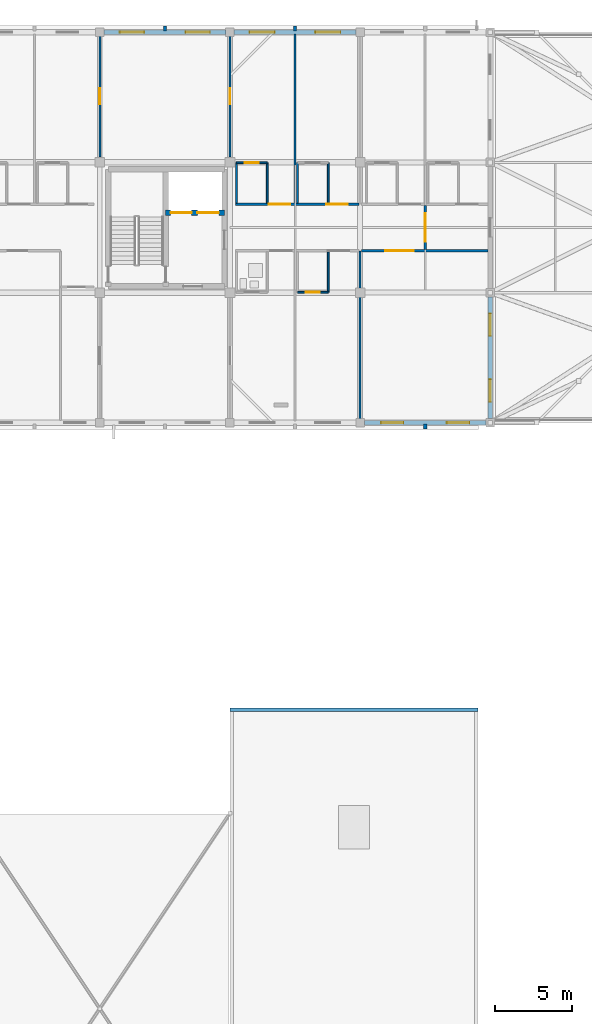
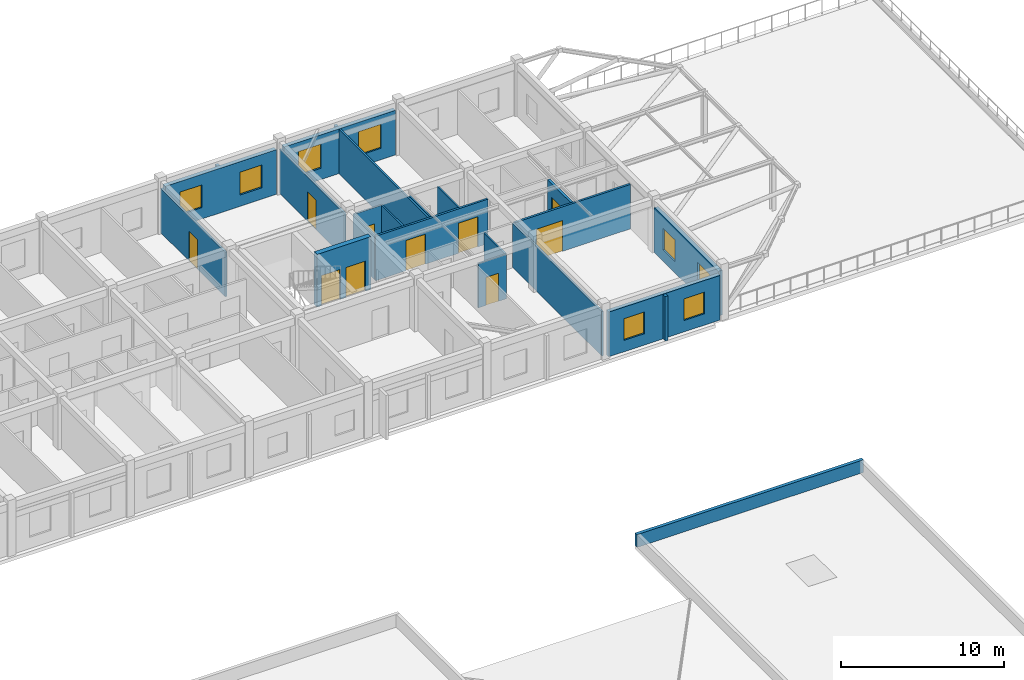
# One storey, part 11 of 21: 23 walls, 10 doors, 8 windows, 18 openings.
"""IFC4 building model written with IfcOpenShell, lengths in metres."""

from ifc_helpers import new_model, si_unit, direction, frame, frame_2d, origin, place, context, subcontext, project, spatial, rectangle, extrude, material, layer, layer_set, type_object, element, fill, save


model = new_model("IFC4")

# Units and contexts
model_context = context("Model", 3, precision=1e-05, world=origin(), true_north=direction((0.0, 1.0)))
body_context = subcontext(model_context, "Body", "Model", "MODEL_VIEW")
ifc_project = project(units=[si_unit("LENGTHUNIT", "METRE"), si_unit("AREAUNIT", "SQUARE_METRE"), si_unit("VOLUMEUNIT", "CUBIC_METRE"), si_unit("PLANEANGLEUNIT", "RADIAN"), si_unit("MASSUNIT", "GRAM", prefix="KILO")], contexts=[model_context])

# Site, building, storey
site_placement = place(None, origin())
site = spatial("IfcSite", under=ifc_project, at=site_placement, CompositionType="ELEMENT")
building_placement = place(site_placement, origin())
building = spatial("IfcBuilding", under=site, at=building_placement, Name="Trelvath General Hospital", CompositionType="ELEMENT")
storey_placement = place(building_placement, frame((0.0, 0.0, 28.800048828125)))
storey = spatial("IfcBuildingStorey", under=building, at=storey_placement, Name="L07", CompositionType="ELEMENT", Elevation=28.800048828125)

# Walls
ifc_material_1 = material(Name="Precast concrete C40/50", Category="concrete")
ifc_layer_1 = layer(ifc_material_1, 0.199951171875)
ifc_layer_set_1 = layer_set([ifc_layer_1], Name="Precast concrete C40/50")
wall_type_1 = type_object("IfcWallType", Name="BriseSoleilRib 200", PredefinedType="ELEMENTEDWALL", material=ifc_layer_set_1)
for number, where, z_axis, x_axis, name in (
    (1, (88.199951171875, 117.675048828125, 0.0), (0.0, 0.0, 1.0), (0.0, 1.0, 0.0), "Precast Concrete Brise-Soleil Rib Fin L07-475"),
    (2, (96.60009765625, 117.675048828125, 0.0), (0.0, 0.0, 1.0), (0.0, 1.0, 0.0), "Precast Concrete Brise-Soleil Rib Fin L07-477"),
    (3, (105.0, 92.324951171875, 0.0), (0.0, 0.0, 1.0), (0.0, -1.0, 0.0), "Precast Concrete Brise-Soleil Rib Fin L07-478"),
):
    element("IfcWall", number, at=place(storey_placement, frame(where, z_axis=z_axis, x_axis=x_axis)), inside=storey, type_object=wall_type_1, Name=name, PredefinedType="ELEMENTEDWALL", context=body_context, shape_type="SweptSolid", body=[
        extrude(rectangle(XDim=0.33984375, YDim=0.199951171875, at=frame_2d((0.169921875, 0.0))), origin(), (0.0, 0.0, 1.0), 3.320068359375),
    ])

# Wall, openings, doors
ifc_material_2 = material(Name="Gypsum acoustic steel-stud partition", Category="steel")
ifc_layer_2 = layer(ifc_material_2, 0.14990234375)
ifc_layer_set_2 = layer_set([ifc_layer_2], Name="Gypsum acoustic steel-stud partition")
wall_type_2 = type_object("IfcWallType", Name="ClinicalPartition 150", PredefinedType="PARTITIONING", material=ifc_layer_set_2)
wall_1_placement = place(storey_placement, frame((100.719970703125, 106.5, 0.0), z_axis=(0.0, 0.0, 1.0), x_axis=(-1.0, 0.0, 0.0)))
wall_1 = element("IfcWall", 4, at=wall_1_placement, inside=storey, type_object=wall_type_2, Name="Corridor Partition N L07-2418", PredefinedType="PARTITIONING", context=body_context, shape_type="SweptSolid", body=[
    extrude(rectangle(XDim=7.9599609375, YDim=0.14990234375, at=frame_2d((3.97998046875, 0.0))), origin(), (0.0, 0.0, 1.0), 3.320068359375),
])
opening_1_placement = place(wall_1_placement, frame((0.72998046875, 0.0, 0.0)))
opening_1 = element("IfcOpeningElement", 5, at=opening_1_placement, cuts=wall_1, Name="Opening D-7-1504", PredefinedType="OPENING", context=body_context, shape_type="SweptSolid", body=[
    extrude(rectangle(XDim=1.3798828125, YDim=2.25, at=frame_2d((0.68994140625, 1.125))), frame((0.0, 0.0849609375, 0.0), z_axis=(0.0, -1.0, 0.0), x_axis=(1.0, 0.0, 0.0)), (0.0, 0.0, 1.0), 0.169921875),
])
opening_2_placement = place(wall_1_placement, frame((4.429931640625, 0.0, 0.0)))
opening_2 = element("IfcOpeningElement", 6, at=opening_2_placement, cuts=wall_1, Name="Opening D-7-1505", PredefinedType="OPENING", context=body_context, shape_type="SweptSolid", body=[
    extrude(rectangle(XDim=1.3798828125, YDim=2.25, at=frame_2d((0.68994140625, 1.125))), frame((0.0, 0.0849609375, 0.0), z_axis=(0.0, -1.0, 0.0), x_axis=(1.0, 0.0, 0.0)), (0.0, 0.0, 1.0), 0.169921875),
])
ifc_material_3 = material(Name="Wheelchair rehab ward door")
door_type_1 = type_object("IfcDoorType", Name="Door PatientRehab 1380x2250", OperationType="NOTDEFINED", PredefinedType="DOOR", material=ifc_material_3)
door_1_placement = place(opening_1_placement, origin())
door_1 = element("IfcDoor", 7, at=door_1_placement, inside=storey, type_object=door_type_1, Name="Patient Room Door N L07-1504", OperationType="SINGLE_SWING_RIGHT", OverallHeight=2.25, OverallWidth=1.3798828125, PredefinedType="DOOR", context=body_context, shape_type="SweptSolid", body=[
    extrude(rectangle(XDim=1.3798828125, YDim=2.25, at=frame_2d((0.68994140625, 1.125))), frame((0.0, 0.02490234375, 0.0), z_axis=(0.0, -1.0, 0.0), x_axis=(1.0, 0.0, 0.0)), (0.0, 0.0, 1.0), 0.050048828125),
])
fill(opening_1, door_1)
door_2_placement = place(opening_2_placement, origin())
door_2 = element("IfcDoor", 8, at=door_2_placement, inside=storey, type_object=door_type_1, Name="Patient Room Door N L07-1505", OperationType="SINGLE_SWING_RIGHT", OverallHeight=2.25, OverallWidth=1.3798828125, PredefinedType="DOOR", context=body_context, shape_type="SweptSolid", body=[
    extrude(rectangle(XDim=1.3798828125, YDim=2.25, at=frame_2d((0.68994140625, 1.125))), frame((0.0, 0.02490234375, 0.0), z_axis=(0.0, -1.0, 0.0), x_axis=(1.0, 0.0, 0.0)), (0.0, 0.0, 1.0), 0.050048828125),
])
fill(opening_2, door_2)

# Wall, opening, door
wall_2_placement = place(storey_placement, frame((100.8798828125, 103.5, 0.0), z_axis=(0.0, 0.0, 1.0), x_axis=(1.0, 0.0, 0.0)))
wall_2 = element("IfcWall", 9, at=wall_2_placement, inside=storey, type_object=wall_type_2, Name="Corridor Partition L07-2428", PredefinedType="PARTITIONING", context=body_context, shape_type="SweptSolid", body=[
    extrude(rectangle(XDim=8.18017578125, YDim=0.14990234375, at=frame_2d((4.090087890625, 0.0))), origin(), (0.0, 0.0, 1.0), 3.320068359375),
])
opening_3_placement = place(wall_2_placement, frame((1.530029296875, 0.0, 0.0)))
opening_3 = element("IfcOpeningElement", 10, at=opening_3_placement, cuts=wall_2, Name="Opening D-7-1508", PredefinedType="OPENING", context=body_context, shape_type="SweptSolid", body=[
    extrude(rectangle(XDim=1.85009765625, YDim=2.300048828125, at=frame_2d((0.925048828125, 1.14990234375))), frame((0.0, 0.0849609375, 0.0), z_axis=(0.0, -1.0, 0.0), x_axis=(1.0, 0.0, 0.0)), (0.0, 0.0, 1.0), 0.169921875),
])
ifc_material_4 = material(Name="Fire-rated steel cross-corridor pair", Category="steel")
door_type_2 = type_object("IfcDoorType", Name="Door SmokeCross 1850x2300", OperationType="DOUBLE_SWING_LEFT", PredefinedType="DOOR", material=ifc_material_4)
door_3_placement = place(opening_3_placement, origin())
door_3 = element("IfcDoor", 11, at=door_3_placement, inside=storey, type_object=door_type_2, Name="Waiting Lounge Door L07-1508", OperationType="DOUBLE_SWING_LEFT", OverallHeight=2.300048828125, OverallWidth=1.85009765625, PredefinedType="DOOR", context=body_context, shape_type="SweptSolid", body=[
    extrude(rectangle(XDim=1.85009765625, YDim=2.300048828125, at=frame_2d((0.925048828125, 1.14990234375))), frame((0.0, 0.02490234375, 0.0), z_axis=(0.0, -1.0, 0.0), x_axis=(1.0, 0.0, 0.0)), (0.0, 0.0, 1.0), 0.050048828125),
])
fill(opening_3, door_3)

# Wall, openings, doors
ifc_material_5 = material(Name="Concrete C40/50", Category="concrete")
ifc_layer_3 = layer(ifc_material_5, 0.35009765625)
ifc_layer_set_3 = layer_set([ifc_layer_3], Name="Concrete C40/50")
wall_type_3 = type_object("IfcWallType", Name="CoreShearWall 350", PredefinedType="SHEAR", material=ifc_layer_set_3)
wall_3_placement = place(storey_placement, frame((88.25, 105.949951171875, 0.0), z_axis=(0.0, 0.0, 1.0), x_axis=(1.0, 0.0, 0.0)))
wall_3 = element("IfcWall", 12, at=wall_3_placement, inside=storey, type_object=wall_type_3, Name="Core Shear Wall C2 SHAFT L07", PredefinedType="SHEAR", context=body_context, shape_type="SweptSolid", body=[
    extrude(rectangle(XDim=3.800048828125, YDim=0.35009765625, at=frame_2d((1.89990234375, 0.0))), origin(), (0.0, 0.0, 1.0), 3.93994140625),
])
opening_4_placement = place(wall_3_placement, frame((0.320068359375, 0.0, 0.0)))
opening_4 = element("IfcOpeningElement", 13, at=opening_4_placement, cuts=wall_3, Name="Opening LD-FF2-7", PredefinedType="OPENING", context=body_context, shape_type="SweptSolid", body=[
    extrude(rectangle(XDim=1.35009765625, YDim=2.25, at=frame_2d((0.675048828125, 1.125))), frame((0.0, 0.18505859375, 0.0), z_axis=(0.0, -1.0, 0.0), x_axis=(1.0, 0.0, 0.0)), (0.0, 0.0, 1.0), 0.3701171875),
])
opening_5_placement = place(wall_3_placement, frame((2.0400390625, 0.0, 0.0)))
opening_5 = element("IfcOpeningElement", 14, at=opening_5_placement, cuts=wall_3, Name="Opening LD-BD2-7", PredefinedType="OPENING", context=body_context, shape_type="SweptSolid", body=[
    extrude(rectangle(XDim=1.39990234375, YDim=2.25, at=frame_2d((0.699951171875, 1.125))), frame((0.0, 0.18505859375, 0.0), z_axis=(0.0, -1.0, 0.0), x_axis=(1.0, 0.0, 0.0)), (0.0, 0.0, 1.0), 0.3701171875),
])
ifc_material_6 = material(Name="Stainless steel stretcher lift landing door", Category="steel")
door_type_3 = type_object("IfcDoorType", Name="Door LiftBed 1400x2250", OperationType="SLIDING_TO_LEFT", PredefinedType="DOOR", material=ifc_material_6)
door_4_placement = place(opening_5_placement, origin())
door_4 = element("IfcDoor", 15, at=door_4_placement, inside=storey, type_object=door_type_3, Name="Lift Landing Sliding Door LF-BD2 L07", OperationType="SLIDING_TO_LEFT", OverallHeight=2.25, OverallWidth=1.39990234375, PredefinedType="DOOR", context=body_context, shape_type="SweptSolid", body=[
    extrude(rectangle(XDim=1.39990234375, YDim=2.25, at=frame_2d((0.699951171875, 1.125))), frame((0.0, 0.02490234375, 0.0), z_axis=(0.0, -1.0, 0.0), x_axis=(1.0, 0.0, 0.0)), (0.0, 0.0, 1.0), 0.050048828125),
])
fill(opening_5, door_4)
ifc_material_7 = material(Name="Fire-rated stainless lift landing door")
door_type_4 = type_object("IfcDoorType", Name="Door LiftFire 1350x2250", OperationType="SLIDING_TO_LEFT", PredefinedType="DOOR", material=ifc_material_7)
door_5_placement = place(opening_4_placement, origin())
door_5 = element("IfcDoor", 16, at=door_5_placement, inside=storey, type_object=door_type_4, Name="Lift Landing Sliding Door LF-FF2 L07", OperationType="SLIDING_TO_LEFT", OverallHeight=2.25, OverallWidth=1.35009765625, PredefinedType="DOOR", context=body_context, shape_type="SweptSolid", body=[
    extrude(rectangle(XDim=1.35009765625, YDim=2.25, at=frame_2d((0.675048828125, 1.125))), frame((0.0, 0.02490234375, 0.0), z_axis=(0.0, -1.0, 0.0), x_axis=(1.0, 0.0, 0.0)), (0.0, 0.0, 1.0), 0.050048828125),
])
fill(opening_4, door_5)

# Wall
ifc_material_8 = material(Name="Moisture-resistant tile partition")
ifc_layer_4 = layer(ifc_material_8, 0.110107421875)
ifc_layer_set_4 = layer_set([ifc_layer_4], Name="Moisture-resistant tile partition")
wall_type_4 = type_object("IfcWallType", Name="EnSuiteWetWall 110", PredefinedType="PARTITIONING", material=ifc_layer_set_4)
wall_4_placement = place(storey_placement, frame((98.739990234375, 100.820068359375, 0.0), z_axis=(0.0, 0.0, 1.0), x_axis=(0.0, 1.0, 0.0)))
element("IfcWall", 17, at=wall_4_placement, inside=storey, type_object=wall_type_4, Name="En-Suite E Wall L07-2415", PredefinedType="PARTITIONING", context=body_context, shape_type="SweptSolid", body=[
    extrude(rectangle(XDim=2.60986328125, YDim=0.110107421875, at=frame_2d((1.304931640625, 0.0))), origin(), (0.0, 0.0, 1.0), 3.320068359375),
])

# Wall, opening, door
wall_5_placement = place(storey_placement, frame((96.760009765625, 100.820068359375, 0.0), z_axis=(0.0, 0.0, 1.0), x_axis=(1.0, 0.0, 0.0)))
wall_5 = element("IfcWall", 18, at=wall_5_placement, inside=storey, type_object=wall_type_4, Name="En-Suite Bathroom Partition L07-2416", PredefinedType="PARTITIONING", context=body_context, shape_type="SweptSolid", body=[
    extrude(rectangle(XDim=1.97998046875, YDim=0.110107421875, at=frame_2d((0.989990234375, 0.0))), origin(), (0.0, 0.0, 1.0), 3.320068359375),
])
opening_6_placement = place(wall_5_placement, frame((0.5400390625, 0.0, 0.0)))
opening_6 = element("IfcOpeningElement", 19, at=opening_6_placement, cuts=wall_5, Name="Opening D-7-1503", PredefinedType="OPENING", context=body_context, shape_type="SweptSolid", body=[
    extrude(rectangle(XDim=0.89990234375, YDim=2.10009765625, at=frame_2d((0.449951171875, 1.050048828125))), frame((0.0, 0.06494140625, 0.0), z_axis=(0.0, -1.0, 0.0), x_axis=(1.0, 0.0, 0.0)), (0.0, 0.0, 1.0), 0.130126953125),
])
ifc_material_9 = material(Name="Moisture-sealed timber leaf", Category="wood")
door_type_5 = type_object("IfcDoorType", Name="Door EnSuite 900x2100", OperationType="NOTDEFINED", PredefinedType="DOOR", material=ifc_material_9)
door_6_placement = place(opening_6_placement, origin())
door_6 = element("IfcDoor", 20, at=door_6_placement, inside=storey, type_object=door_type_5, Name="En-Suite Bathroom Door L07-1503", OperationType="SINGLE_SWING_LEFT", OverallHeight=2.10009765625, OverallWidth=0.89990234375, PredefinedType="DOOR", context=body_context, shape_type="SweptSolid", body=[
    extrude(rectangle(XDim=0.89990234375, YDim=2.10009765625, at=frame_2d((0.449951171875, 1.050048828125))), frame((0.0, 0.02490234375, 0.0), z_axis=(0.0, -1.0, 0.0), x_axis=(1.0, 0.0, 0.0)), (0.0, 0.0, 1.0), 0.050048828125),
])
fill(opening_6, door_6)

# Walls
for number, where, z_axis, x_axis, name in (
    (21, (92.820068359375, 106.570068359375, 0.0), (0.0, 0.0, 1.0), (0.0, 1.0, 0.0), "En-Suite W Wall N L07-2420"),
    (22, (94.800048828125, 106.570068359375, 0.0), (0.0, 0.0, 1.0), (0.0, 1.0, 0.0), "En-Suite E Wall N L07-2421"),
):
    element("IfcWall", number, at=place(storey_placement, frame(where, z_axis=z_axis, x_axis=x_axis)), inside=storey, type_object=wall_type_4, Name=name, PredefinedType="PARTITIONING", context=body_context, shape_type="SweptSolid", body=[
        extrude(rectangle(XDim=2.60986328125, YDim=0.110107421875, at=frame_2d((1.304931640625, 0.0))), origin(), (0.0, 0.0, 1.0), 3.320068359375),
    ])

# Wall, opening, door
wall_6_placement = place(storey_placement, frame((92.820068359375, 109.179931640625, 0.0), z_axis=(0.0, 0.0, 1.0), x_axis=(1.0, 0.0, 0.0)))
wall_6 = element("IfcWall", 23, at=wall_6_placement, inside=storey, type_object=wall_type_4, Name="En-Suite Bathroom N Partition L07-2422", PredefinedType="PARTITIONING", context=body_context, shape_type="SweptSolid", body=[
    extrude(rectangle(XDim=1.97998046875, YDim=0.110107421875, at=frame_2d((0.989990234375, 0.0))), origin(), (0.0, 0.0, 1.0), 3.320068359375),
])
opening_7_placement = place(wall_6_placement, frame((0.5400390625, 0.0, 0.0)))
opening_7 = element("IfcOpeningElement", 24, at=opening_7_placement, cuts=wall_6, Name="Opening D-7-1506", PredefinedType="OPENING", context=body_context, shape_type="SweptSolid", body=[
    extrude(rectangle(XDim=0.89990234375, YDim=2.10009765625, at=frame_2d((0.449951171875, 1.050048828125))), frame((0.0, 0.06494140625, 0.0), z_axis=(0.0, -1.0, 0.0), x_axis=(1.0, 0.0, 0.0)), (0.0, 0.0, 1.0), 0.130126953125),
])
door_7_placement = place(opening_7_placement, origin())
door_7 = element("IfcDoor", 25, at=door_7_placement, inside=storey, type_object=door_type_5, Name="En-Suite Bathroom N Door L07-1506", OperationType="SINGLE_SWING_LEFT", OverallHeight=2.10009765625, OverallWidth=0.89990234375, PredefinedType="DOOR", context=body_context, shape_type="SweptSolid", body=[
    extrude(rectangle(XDim=0.89990234375, YDim=2.10009765625, at=frame_2d((0.449951171875, 1.050048828125))), frame((0.0, 0.02490234375, 0.0), z_axis=(0.0, -1.0, 0.0), x_axis=(1.0, 0.0, 0.0)), (0.0, 0.0, 1.0), 0.050048828125),
])
fill(opening_7, door_7)

# Walls
for number, where, z_axis, x_axis, name in (
    (26, (96.760009765625, 106.570068359375, 0.0), (0.0, 0.0, 1.0), (0.0, 1.0, 0.0), "En-Suite W Wall N L07-2423"),
    (27, (98.739990234375, 106.570068359375, 0.0), (0.0, 0.0, 1.0), (0.0, 1.0, 0.0), "En-Suite E Wall N L07-2424"),
):
    element("IfcWall", number, at=place(storey_placement, frame(where, z_axis=z_axis, x_axis=x_axis)), inside=storey, type_object=wall_type_4, Name=name, PredefinedType="PARTITIONING", context=body_context, shape_type="SweptSolid", body=[
        extrude(rectangle(XDim=2.60986328125, YDim=0.110107421875, at=frame_2d((1.304931640625, 0.0))), origin(), (0.0, 0.0, 1.0), 3.320068359375),
    ])

# Wall, openings, windows
ifc_material_10 = material(Name="Concrete C35/45", Category="concrete")
ifc_layer_5 = layer(ifc_material_10, 0.2900390625)
ifc_layer_set_5 = layer_set([ifc_layer_5], Name="Concrete C35/45")
wall_type_5 = type_object("IfcWallType", Name="ExtBushHammeredWall 290", PredefinedType="SOLIDWALL", material=ifc_layer_set_5)
wall_7_placement = place(storey_placement, frame((84.27001953125, 117.60009765625, 0.0), z_axis=(0.0, 0.0, 1.0), x_axis=(1.0, 0.0, 0.0)))
wall_7 = element("IfcWall", 28, at=wall_7_placement, inside=storey, type_object=wall_type_5, Name="Exterior Concrete Wall L07-624", PredefinedType="SOLIDWALL", context=body_context, shape_type="SweptSolid", body=[
    extrude(rectangle(XDim=7.85986328125, YDim=0.2900390625, at=frame_2d((3.929931640625, 0.0))), origin(), (0.0, 0.0, 1.0), 3.33984375),
])
opening_8_placement = place(wall_7_placement, frame((1.02783203125, 0.0, 0.85009765625)))
opening_8 = element("IfcOpeningElement", 29, at=opening_8_placement, cuts=wall_7, Name="Opening WN-7-1055", PredefinedType="OPENING", context=body_context, shape_type="SweptSolid", body=[
    extrude(rectangle(XDim=1.56005859375, YDim=1.699951171875, at=frame_2d((0.780029296875, 0.85009765625))), frame((0.0, 0.155029296875, 0.0), z_axis=(0.0, -1.0, 0.0), x_axis=(1.0, 0.0, 0.0)), (0.0, 0.0, 1.0), 0.31005859375),
])
opening_9_placement = place(wall_7_placement, frame((5.272216796875, 0.0, 0.85009765625)))
opening_9 = element("IfcOpeningElement", 30, at=opening_9_placement, cuts=wall_7, Name="Opening WN-7-1056", PredefinedType="OPENING", context=body_context, shape_type="SweptSolid", body=[
    extrude(rectangle(XDim=1.56005859375, YDim=1.699951171875, at=frame_2d((0.780029296875, 0.85009765625))), frame((0.0, 0.155029296875, 0.0), z_axis=(0.0, -1.0, 0.0), x_axis=(1.0, 0.0, 0.0)), (0.0, 0.0, 1.0), 0.31005859375),
])
ifc_material_11 = material(Name="Low-E laminated glass", Category="glass")
window_type_1 = type_object("IfcWindowType", Name="Window Dialysis 1560x1700", PartitioningType="DOUBLE_PANEL_VERTICAL", PredefinedType="WINDOW", material=ifc_material_11)
window_1_placement = place(opening_8_placement, origin())
window_1 = element("IfcWindow", 31, at=window_1_placement, inside=storey, type_object=window_type_1, Name="Solar Reveal Window L07-1055", OverallHeight=1.699951171875, OverallWidth=1.56005859375, PartitioningType="SINGLE_PANEL", PredefinedType="WINDOW", context=body_context, shape_type="SweptSolid", body=[
    extrude(rectangle(XDim=1.56005859375, YDim=1.699951171875, at=frame_2d((0.780029296875, 0.85009765625))), frame((0.0, 0.030029296875, 0.0), z_axis=(0.0, -1.0, 0.0), x_axis=(1.0, 0.0, 0.0)), (0.0, 0.0, 1.0), 0.06005859375),
])
fill(opening_8, window_1)
window_2_placement = place(opening_9_placement, origin())
window_2 = element("IfcWindow", 32, at=window_2_placement, inside=storey, type_object=window_type_1, Name="Solar Reveal Window L07-1056", OverallHeight=1.699951171875, OverallWidth=1.56005859375, PartitioningType="SINGLE_PANEL", PredefinedType="WINDOW", context=body_context, shape_type="SweptSolid", body=[
    extrude(rectangle(XDim=1.56005859375, YDim=1.699951171875, at=frame_2d((0.780029296875, 0.85009765625))), frame((0.0, 0.030029296875, 0.0), z_axis=(0.0, -1.0, 0.0), x_axis=(1.0, 0.0, 0.0)), (0.0, 0.0, 1.0), 0.06005859375),
])
fill(opening_9, window_2)

wall_8_placement = place(storey_placement, frame((92.669921875, 117.60009765625, 0.0), z_axis=(0.0, 0.0, 1.0), x_axis=(1.0, 0.0, 0.0)))
wall_8 = element("IfcWall", 33, at=wall_8_placement, inside=storey, type_object=wall_type_5, Name="Exterior Concrete Wall L07-626", PredefinedType="SOLIDWALL", context=body_context, shape_type="SweptSolid", body=[
    extrude(rectangle(XDim=7.860107421875, YDim=0.2900390625, at=frame_2d((3.93017578125, 0.0))), origin(), (0.0, 0.0, 1.0), 3.33984375),
])
opening_10_placement = place(wall_8_placement, frame((0.997802734375, 0.0, 0.85009765625)))
opening_10 = element("IfcOpeningElement", 34, at=opening_10_placement, cuts=wall_8, Name="Opening WN-7-1059", PredefinedType="OPENING", context=body_context, shape_type="SweptSolid", body=[
    extrude(rectangle(XDim=1.6201171875, YDim=1.800048828125, at=frame_2d((0.81005859375, 0.89990234375))), frame((0.0, 0.155029296875, 0.0), z_axis=(0.0, -1.0, 0.0), x_axis=(1.0, 0.0, 0.0)), (0.0, 0.0, 1.0), 0.31005859375),
])
opening_11_placement = place(wall_8_placement, frame((5.2421875, 0.0, 0.85009765625)))
opening_11 = element("IfcOpeningElement", 35, at=opening_11_placement, cuts=wall_8, Name="Opening WN-7-1060", PredefinedType="OPENING", context=body_context, shape_type="SweptSolid", body=[
    extrude(rectangle(XDim=1.6201171875, YDim=1.800048828125, at=frame_2d((0.81005859375, 0.89990234375))), frame((0.0, 0.155029296875, 0.0), z_axis=(0.0, -1.0, 0.0), x_axis=(1.0, 0.0, 0.0)), (0.0, 0.0, 1.0), 0.31005859375),
])
ifc_material_12 = material(Name="Low-E laminated glass", Category="glass")
window_type_2 = type_object("IfcWindowType", Name="Window Rehab 1620x1800", PartitioningType="DOUBLE_PANEL_VERTICAL", PredefinedType="WINDOW", material=ifc_material_12)
window_3_placement = place(opening_10_placement, origin())
window_3 = element("IfcWindow", 36, at=window_3_placement, inside=storey, type_object=window_type_2, Name="Solar Reveal Window L07-1059", OverallHeight=1.800048828125, OverallWidth=1.6201171875, PartitioningType="SINGLE_PANEL", PredefinedType="WINDOW", context=body_context, shape_type="SweptSolid", body=[
    extrude(rectangle(XDim=1.6201171875, YDim=1.800048828125, at=frame_2d((0.81005859375, 0.89990234375))), frame((0.0, 0.030029296875, 0.0), z_axis=(0.0, -1.0, 0.0), x_axis=(1.0, 0.0, 0.0)), (0.0, 0.0, 1.0), 0.06005859375),
])
fill(opening_10, window_3)
window_4_placement = place(opening_11_placement, origin())
window_4 = element("IfcWindow", 37, at=window_4_placement, inside=storey, type_object=window_type_2, Name="Solar Reveal Window L07-1060", OverallHeight=1.800048828125, OverallWidth=1.6201171875, PartitioningType="SINGLE_PANEL", PredefinedType="WINDOW", context=body_context, shape_type="SweptSolid", body=[
    extrude(rectangle(XDim=1.6201171875, YDim=1.800048828125, at=frame_2d((0.81005859375, 0.89990234375))), frame((0.0, 0.030029296875, 0.0), z_axis=(0.0, -1.0, 0.0), x_axis=(1.0, 0.0, 0.0)), (0.0, 0.0, 1.0), 0.06005859375),
])
fill(opening_11, window_4)

wall_9_placement = place(storey_placement, frame((108.929931640625, 92.39990234375, 0.0), z_axis=(0.0, 0.0, 1.0), x_axis=(-1.0, 0.0, 0.0)))
wall_9 = element("IfcWall", 38, at=wall_9_placement, inside=storey, type_object=wall_type_5, Name="Exterior Concrete Wall L07-627", PredefinedType="SOLIDWALL", context=body_context, shape_type="SweptSolid", body=[
    extrude(rectangle(XDim=7.85986328125, YDim=0.2900390625, at=frame_2d((3.929931640625, 0.0))), origin(), (0.0, 0.0, 1.0), 3.33984375),
])
opening_12_placement = place(wall_9_placement, frame((1.087890625, 0.0, 0.85009765625)))
opening_12 = element("IfcOpeningElement", 39, at=opening_12_placement, cuts=wall_9, Name="Opening WN-7-1061", PredefinedType="OPENING", context=body_context, shape_type="SweptSolid", body=[
    extrude(rectangle(XDim=1.43994140625, YDim=1.6201171875, at=frame_2d((0.719970703125, 0.81005859375))), frame((0.0, 0.155029296875, 0.0), z_axis=(0.0, -1.0, 0.0), x_axis=(1.0, 0.0, 0.0)), (0.0, 0.0, 1.0), 0.31005859375),
])
opening_13_placement = place(wall_9_placement, frame((5.332275390625, 0.0, 0.85009765625)))
opening_13 = element("IfcOpeningElement", 40, at=opening_13_placement, cuts=wall_9, Name="Opening WN-7-1062", PredefinedType="OPENING", context=body_context, shape_type="SweptSolid", body=[
    extrude(rectangle(XDim=1.43994140625, YDim=1.6201171875, at=frame_2d((0.719970703125, 0.81005859375))), frame((0.0, 0.155029296875, 0.0), z_axis=(0.0, -1.0, 0.0), x_axis=(1.0, 0.0, 0.0)), (0.0, 0.0, 1.0), 0.31005859375),
])
ifc_material_13 = material(Name="Low-E laminated glass", Category="glass")
window_type_3 = type_object("IfcWindowType", Name="Window Maternity 1440x1620", PartitioningType="DOUBLE_PANEL_VERTICAL", PredefinedType="WINDOW", material=ifc_material_13)
window_5_placement = place(opening_12_placement, origin())
window_5 = element("IfcWindow", 41, at=window_5_placement, inside=storey, type_object=window_type_3, Name="Solar Reveal Window L07-1061", OverallHeight=1.6201171875, OverallWidth=1.43994140625, PartitioningType="SINGLE_PANEL", PredefinedType="WINDOW", context=body_context, shape_type="SweptSolid", body=[
    extrude(rectangle(XDim=1.43994140625, YDim=1.6201171875, at=frame_2d((0.719970703125, 0.81005859375))), frame((0.0, 0.030029296875, 0.0), z_axis=(0.0, -1.0, 0.0), x_axis=(1.0, 0.0, 0.0)), (0.0, 0.0, 1.0), 0.06005859375),
])
fill(opening_12, window_5)
window_6_placement = place(opening_13_placement, origin())
window_6 = element("IfcWindow", 42, at=window_6_placement, inside=storey, type_object=window_type_3, Name="Solar Reveal Window L07-1062", OverallHeight=1.6201171875, OverallWidth=1.43994140625, PartitioningType="SINGLE_PANEL", PredefinedType="WINDOW", context=body_context, shape_type="SweptSolid", body=[
    extrude(rectangle(XDim=1.43994140625, YDim=1.6201171875, at=frame_2d((0.719970703125, 0.81005859375))), frame((0.0, 0.030029296875, 0.0), z_axis=(0.0, -1.0, 0.0), x_axis=(1.0, 0.0, 0.0)), (0.0, 0.0, 1.0), 0.06005859375),
])
fill(opening_13, window_6)

wall_10_placement = place(storey_placement, frame((109.199951171875, 100.530029296875, 0.0), z_axis=(0.0, 0.0, 1.0), x_axis=(0.0, -1.0, 0.0)))
wall_10 = element("IfcWall", 43, at=wall_10_placement, inside=storey, type_object=wall_type_5, Name="Exterior Concrete Wall L07-628", PredefinedType="SOLIDWALL", context=body_context, shape_type="SweptSolid", body=[
    extrude(rectangle(XDim=7.860107421875, YDim=0.2900390625, at=frame_2d((3.93017578125, 0.0))), origin(), (0.0, 0.0, 1.0), 3.33984375),
])
opening_14_placement = place(wall_10_placement, frame((1.087890625, 0.0, 0.85009765625)))
opening_14 = element("IfcOpeningElement", 44, at=opening_14_placement, cuts=wall_10, Name="Opening WN-7-1063", PredefinedType="OPENING", context=body_context, shape_type="SweptSolid", body=[
    extrude(rectangle(XDim=1.43994140625, YDim=1.6201171875, at=frame_2d((0.719970703125, 0.81005859375))), frame((0.0, 0.155029296875, 0.0), z_axis=(0.0, -1.0, 0.0), x_axis=(1.0, 0.0, 0.0)), (0.0, 0.0, 1.0), 0.31005859375),
])
opening_15_placement = place(wall_10_placement, frame((5.332275390625, 0.0, 0.85009765625)))
opening_15 = element("IfcOpeningElement", 45, at=opening_15_placement, cuts=wall_10, Name="Opening WN-7-1064", PredefinedType="OPENING", context=body_context, shape_type="SweptSolid", body=[
    extrude(rectangle(XDim=1.43994140625, YDim=1.6201171875, at=frame_2d((0.719970703125, 0.81005859375))), frame((0.0, 0.155029296875, 0.0), z_axis=(0.0, -1.0, 0.0), x_axis=(1.0, 0.0, 0.0)), (0.0, 0.0, 1.0), 0.31005859375),
])
window_7_placement = place(opening_14_placement, origin())
window_7 = element("IfcWindow", 46, at=window_7_placement, inside=storey, type_object=window_type_3, Name="Solar Reveal Window L07-1063", OverallHeight=1.6201171875, OverallWidth=1.43994140625, PartitioningType="SINGLE_PANEL", PredefinedType="WINDOW", context=body_context, shape_type="SweptSolid", body=[
    extrude(rectangle(XDim=1.43994140625, YDim=1.6201171875, at=frame_2d((0.719970703125, 0.81005859375))), frame((0.0, 0.030029296875, 0.0), z_axis=(0.0, -1.0, 0.0), x_axis=(1.0, 0.0, 0.0)), (0.0, 0.0, 1.0), 0.06005859375),
])
fill(opening_14, window_7)
window_8_placement = place(opening_15_placement, origin())
window_8 = element("IfcWindow", 47, at=window_8_placement, inside=storey, type_object=window_type_3, Name="Solar Reveal Window L07-1064", OverallHeight=1.6201171875, OverallWidth=1.43994140625, PartitioningType="SINGLE_PANEL", PredefinedType="WINDOW", context=body_context, shape_type="SweptSolid", body=[
    extrude(rectangle(XDim=1.43994140625, YDim=1.6201171875, at=frame_2d((0.719970703125, 0.81005859375))), frame((0.0, 0.030029296875, 0.0), z_axis=(0.0, -1.0, 0.0), x_axis=(1.0, 0.0, 0.0)), (0.0, 0.0, 1.0), 0.06005859375),
])
fill(opening_15, window_8)

# Wall
ifc_material_14 = material(Name="Concrete C35/45", Category="concrete")
ifc_layer_6 = layer(ifc_material_14, 0.22998046875)
ifc_layer_set_6 = layer_set([ifc_layer_6], Name="Concrete C35/45")
wall_type_6 = type_object("IfcWallType", Name="RoofParapet 230", PredefinedType="PARAPET", material=ifc_layer_set_6)
wall_11_placement = place(storey_placement, frame((92.39990234375, 73.885009765625, 0.0), z_axis=(0.0, 0.0, 1.0), x_axis=(1.0, 0.0, 0.0)))
element("IfcWall", 48, at=wall_11_placement, inside=storey, type_object=wall_type_6, Name="Crown Roof Parapet 2-N", PredefinedType="PARAPET", context=body_context, shape_type="SweptSolid", body=[
    extrude(rectangle(XDim=16.0, YDim=0.22998046875, at=frame_2d((8.0, 0.0))), origin(), (0.0, 0.0, 1.0), 0.949951171875),
])

# Wall, opening, door
ifc_material_15 = material(Name="Masonry fire blockwork", Category="masonry")
ifc_layer_7 = layer(ifc_material_15, 0.179931640625)
ifc_layer_set_7 = layer_set([ifc_layer_7], Name="Masonry fire blockwork")
wall_type_7 = type_object("IfcWallType", Name="SmokeBarrierWall 180", PredefinedType="PARTITIONING", material=ifc_layer_set_7)
wall_12_placement = place(storey_placement, frame((105.0, 103.580078125, 0.0), z_axis=(0.0, 0.0, 1.0), x_axis=(0.0, 1.0, 0.0)))
wall_12 = element("IfcWall", 49, at=wall_12_placement, inside=storey, type_object=wall_type_7, Name="Smoke Compartment Barrier L07-2437", PredefinedType="PARTITIONING", context=body_context, shape_type="SweptSolid", body=[
    extrude(rectangle(XDim=2.83984375, YDim=0.179931640625, at=frame_2d((1.419921875, 0.0))), origin(), (0.0, 0.0, 1.0), 3.320068359375),
])
opening_16_placement = place(wall_12_placement, frame((0.4951171875, 0.0, 0.0)))
opening_16 = element("IfcOpeningElement", 50, at=opening_16_placement, cuts=wall_12, Name="Opening SD-7-1513", PredefinedType="OPENING", context=body_context, shape_type="SweptSolid", body=[
    extrude(rectangle(XDim=1.85009765625, YDim=2.300048828125, at=frame_2d((0.925048828125, 1.14990234375))), frame((0.0, 0.099853515625, 0.0), z_axis=(0.0, -1.0, 0.0), x_axis=(1.0, 0.0, 0.0)), (0.0, 0.0, 1.0), 0.199951171875),
])
door_8_placement = place(opening_16_placement, origin())
door_8 = element("IfcDoor", 51, at=door_8_placement, inside=storey, type_object=door_type_2, Name="Cross-Corridor Smoke Door L07-1513", OperationType="SLIDING_TO_LEFT", OverallHeight=2.300048828125, OverallWidth=1.85009765625, PredefinedType="DOOR", context=body_context, shape_type="SweptSolid", body=[
    extrude(rectangle(XDim=1.85009765625, YDim=2.300048828125, at=frame_2d((0.925048828125, 1.14990234375))), frame((0.0, 0.02490234375, 0.0), z_axis=(0.0, -1.0, 0.0), x_axis=(1.0, 0.0, 0.0)), (0.0, 0.0, 1.0), 0.050048828125),
])
fill(opening_16, door_8)

ifc_material_16 = material(Name="Gypsum acoustic steel-stud partition", Category="steel")
ifc_layer_8 = layer(ifc_material_16, 0.1298828125)
ifc_layer_set_8 = layer_set([ifc_layer_8], Name="Gypsum acoustic steel-stud partition")
wall_type_8 = type_object("IfcWallType", Name="WardPartition 130", PredefinedType="PARTITIONING", material=ifc_layer_set_8)
wall_13_placement = place(storey_placement, frame((84.0, 109.550048828125, 0.0), z_axis=(0.0, 0.0, 1.0), x_axis=(0.0, 1.0, 0.0)))
wall_13 = element("IfcWall", 52, at=wall_13_placement, inside=storey, type_object=wall_type_8, Name="Inter-Bay Ward Partition N L07-2406", PredefinedType="PARTITIONING", context=body_context, shape_type="SweptSolid", body=[
    extrude(rectangle(XDim=7.909912109375, YDim=0.1298828125, at=frame_2d((3.955078125, 0.0))), origin(), (0.0, 0.0, 1.0), 3.320068359375),
])
opening_17_placement = place(wall_13_placement, frame((3.39990234375, 0.0, 0.0)))
opening_17 = element("IfcOpeningElement", 53, at=opening_17_placement, cuts=wall_13, Name="Opening D-7-1497", PredefinedType="OPENING", context=body_context, shape_type="SweptSolid", body=[
    extrude(rectangle(XDim=1.050048828125, YDim=2.199951171875, at=frame_2d((0.52490234375, 1.10009765625))), frame((0.0, 0.074951171875, 0.0), z_axis=(0.0, -1.0, 0.0), x_axis=(1.0, 0.0, 0.0)), (0.0, 0.0, 1.0), 0.14990234375),
])
ifc_material_17 = material(Name="Acoustic hospital timber leaf", Category="wood")
door_type_6 = type_object("IfcDoorType", Name="Door Consult 1050x2200", OperationType="NOTDEFINED", PredefinedType="DOOR", material=ifc_material_17)
door_9_placement = place(opening_17_placement, origin())
door_9 = element("IfcDoor", 54, at=door_9_placement, inside=storey, type_object=door_type_6, Name="Consultation Connecting Door L07-1497", OperationType="SINGLE_SWING_LEFT", OverallHeight=2.199951171875, OverallWidth=1.050048828125, PredefinedType="DOOR", context=body_context, shape_type="SweptSolid", body=[
    extrude(rectangle(XDim=1.050048828125, YDim=2.199951171875, at=frame_2d((0.52490234375, 1.10009765625))), frame((0.0, 0.02490234375, 0.0), z_axis=(0.0, -1.0, 0.0), x_axis=(1.0, 0.0, 0.0)), (0.0, 0.0, 1.0), 0.050048828125),
])
fill(opening_17, door_9)

wall_14_placement = place(storey_placement, frame((92.39990234375, 109.550048828125, 0.0), z_axis=(0.0, 0.0, 1.0), x_axis=(0.0, 1.0, 0.0)))
wall_14 = element("IfcWall", 55, at=wall_14_placement, inside=storey, type_object=wall_type_8, Name="Inter-Bay Ward Partition N L07-2408", PredefinedType="PARTITIONING", context=body_context, shape_type="SweptSolid", body=[
    extrude(rectangle(XDim=7.909912109375, YDim=0.1298828125, at=frame_2d((3.955078125, 0.0))), origin(), (0.0, 0.0, 1.0), 3.320068359375),
])
opening_18_placement = place(wall_14_placement, frame((3.39990234375, 0.0, 0.0)))
opening_18 = element("IfcOpeningElement", 56, at=opening_18_placement, cuts=wall_14, Name="Opening D-7-1499", PredefinedType="OPENING", context=body_context, shape_type="SweptSolid", body=[
    extrude(rectangle(XDim=1.050048828125, YDim=2.199951171875, at=frame_2d((0.52490234375, 1.10009765625))), frame((0.0, 0.074951171875, 0.0), z_axis=(0.0, -1.0, 0.0), x_axis=(1.0, 0.0, 0.0)), (0.0, 0.0, 1.0), 0.14990234375),
])
door_10_placement = place(opening_18_placement, origin())
door_10 = element("IfcDoor", 57, at=door_10_placement, inside=storey, type_object=door_type_6, Name="Consultation Connecting Door L07-1499", OperationType="SINGLE_SWING_LEFT", OverallHeight=2.199951171875, OverallWidth=1.050048828125, PredefinedType="DOOR", context=body_context, shape_type="SweptSolid", body=[
    extrude(rectangle(XDim=1.050048828125, YDim=2.199951171875, at=frame_2d((0.52490234375, 1.10009765625))), frame((0.0, 0.02490234375, 0.0), z_axis=(0.0, -1.0, 0.0), x_axis=(1.0, 0.0, 0.0)), (0.0, 0.0, 1.0), 0.050048828125),
])
fill(opening_18, door_10)

# Walls
wall_15_placement = place(storey_placement, frame((96.60009765625, 106.570068359375, 0.0), z_axis=(0.0, 0.0, 1.0), x_axis=(0.0, 1.0, 0.0)))
element("IfcWall", 58, at=wall_15_placement, inside=storey, type_object=wall_type_8, Name="Room Dividing Partition N L07-2419", PredefinedType="PARTITIONING", context=body_context, shape_type="SweptSolid", body=[
    extrude(rectangle(XDim=10.929931640625, YDim=0.1298828125, at=frame_2d((5.46484375, 0.0))), origin(), (0.0, 0.0, 1.0), 3.320068359375),
])
wall_16_placement = place(storey_placement, frame((100.800048828125, 92.5400390625, 0.0), z_axis=(0.0, 0.0, 1.0), x_axis=(0.0, 1.0, 0.0)))
element("IfcWall", 59, at=wall_16_placement, inside=storey, type_object=wall_type_8, Name="Inter-Bay Ward Partition S L07-2426", PredefinedType="PARTITIONING", context=body_context, shape_type="SweptSolid", body=[
    extrude(rectangle(XDim=10.93994140625, YDim=0.1298828125, at=frame_2d((5.469970703125, 0.0))), origin(), (0.0, 0.0, 1.0), 3.320068359375),
])

save(model, "model.ifc")
